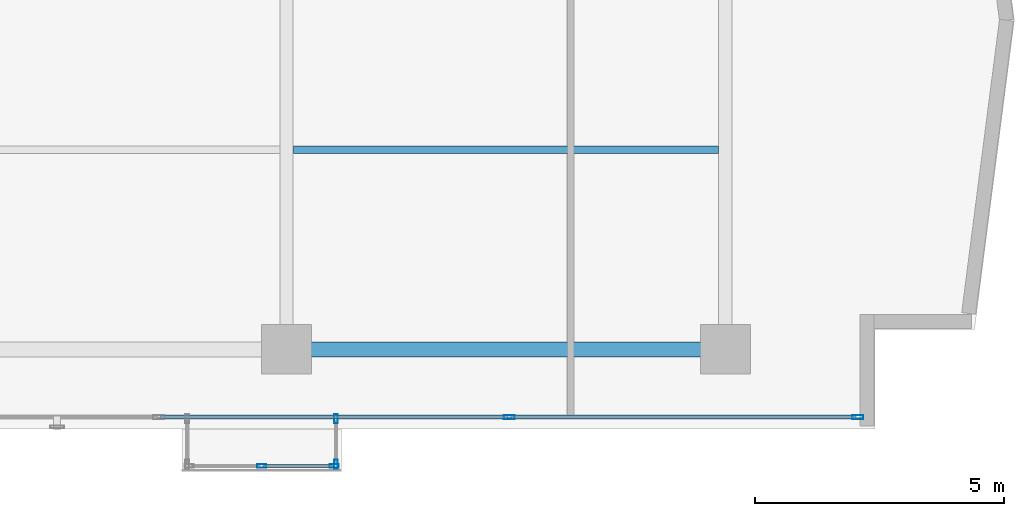
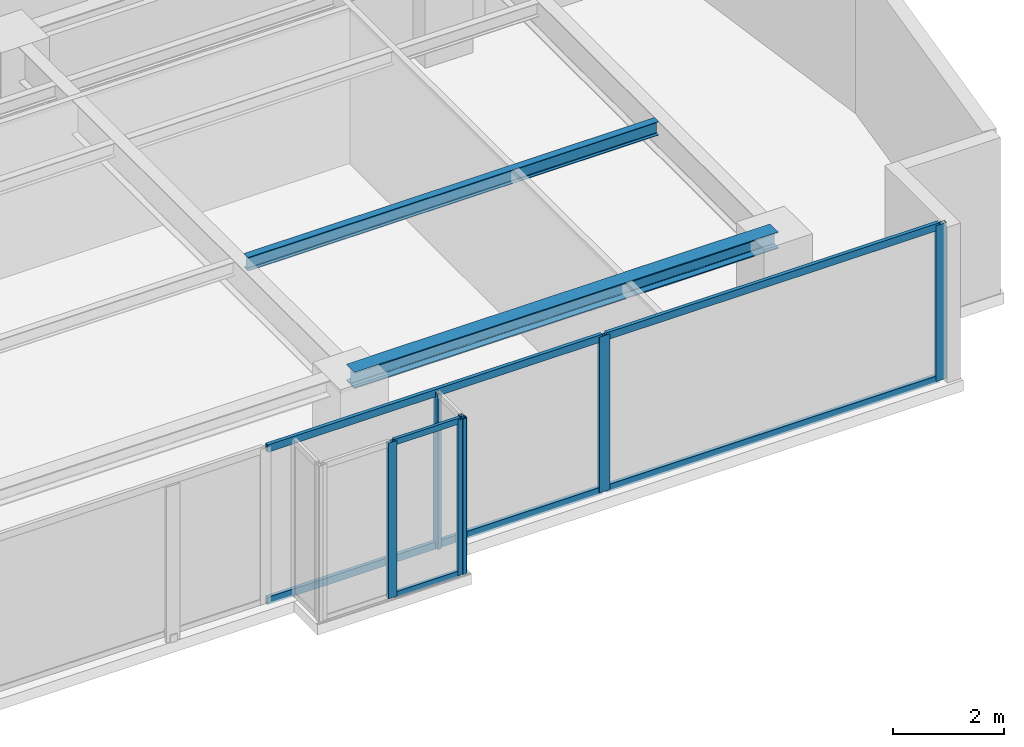
# One storey, part 11 of 24: 12 members, 2 beams, 3 elements without a shape of their own.
"""IFC4 building model written with IfcOpenShell, lengths in metres."""

from ifc_helpers import new_model, si_unit, direction, frame, origin, origin_with_axes, origin_2d, place, context, subcontext, project, spatial, hollow_rectangle, i_section, extrude, source, transform, mapped, material, layer, layer_set, material_profile, profile_set, type_object, element, aggregate, save


model = new_model("IFC4")

# Units and contexts
model_context = context("Model", 3, precision=1e-05, world=origin(), true_north=direction((0.0, 1.0)))
body_context = subcontext(model_context, "Body", "Model", "MODEL_VIEW")
ifc_project = project(units=[si_unit("LENGTHUNIT", "METRE"), si_unit("AREAUNIT", "SQUARE_METRE"), si_unit("VOLUMEUNIT", "CUBIC_METRE"), si_unit("PLANEANGLEUNIT", "RADIAN"), si_unit("MASSUNIT", "GRAM", prefix="KILO")], contexts=[model_context])

# Site, building, storey
site_placement = place(None, origin())
site = spatial("IfcSite", under=ifc_project, at=site_placement, CompositionType="ELEMENT")
building_placement = place(site_placement, origin())
building = spatial("IfcBuilding", under=site, at=building_placement, Name="Kolvaren Waterfront Exchange", CompositionType="ELEMENT")
storey_placement = place(building_placement, frame((0.0, 0.0, 253.89990234375)))
storey = spatial("IfcBuildingStorey", under=building, at=storey_placement, Name="L65", CompositionType="ELEMENT", Elevation=253.89990234375)

# Beams
ifc_material_1 = material(Name="Steel S355", Category="steel")
ifc_material_profile_1 = material_profile(ifc_material_1, i_section(OverallWidth=0.300048828125, OverallDepth=0.360107421875, WebThickness=0.012451171875, FlangeThickness=0.0224609375, FilletRadius=0.027099609375, at=origin_2d()), Name="HEB360")
ifc_profile_set_1 = profile_set([ifc_material_profile_1], Name="Steel S355")
beam_type_1 = type_object("IfcBeamType", Name="STR-BM-HEB360", PredefinedType="SPANDREL", material=ifc_profile_set_1)
beam_1_placement = place(storey_placement, frame((36.800048828125, 5.199951171875, 3.239990234375), z_axis=(1.0, 0.0, 0.0), x_axis=(0.0, 1.0, 0.0)))
element("IfcBeam", 1, at=beam_1_placement, inside=storey, type_object=beam_type_1, Name="L65 east-arm spandrel S3", PredefinedType="SPANDREL", context=body_context, shape_type="SweptSolid", body=[
    extrude(i_section(OverallWidth=0.300048828125, OverallDepth=0.360107421875, WebThickness=0.012451171875, FlangeThickness=0.0224609375, FilletRadius=0.027099609375, at=origin_2d()), origin(), (0.0, 0.0, 1.0), 8.800048828125),
])
ifc_material_profile_2 = material_profile(ifc_material_1, i_section(OverallWidth=0.14990234375, OverallDepth=0.300048828125, WebThickness=0.007080078125, FlangeThickness=0.0107421875, FilletRadius=0.014892578125, at=origin_2d()), Name="IPE300")
ifc_profile_set_2 = profile_set([ifc_material_profile_2], Name="Steel S355")
beam_type_2 = type_object("IfcBeamType", Name="STR-BM-IPE300", PredefinedType="JOIST", material=ifc_profile_set_2)
beam_2_placement = place(storey_placement, frame((36.935546875, 9.199951171875, 3.27001953125), z_axis=(1.0, 0.0, 0.0), x_axis=(0.0, 1.0, 0.0)))
element("IfcBeam", 2, at=beam_2_placement, inside=storey, type_object=beam_type_2, Name="L65 east-arm composite joist 3B", PredefinedType="JOIST", context=body_context, shape_type="SweptSolid", body=[
    extrude(i_section(OverallWidth=0.14990234375, OverallDepth=0.300048828125, WebThickness=0.007080078125, FlangeThickness=0.0107421875, FilletRadius=0.014892578125, at=origin_2d()), origin(), (0.0, 0.0, 1.0), 8.529052734375),
])

# Curtain wall, members
ifc_material_2 = material(Name="Anodised bronze aluminium 6063-T6", Category="aluminium")
ifc_layer_1 = layer(ifc_material_2, 0.219970703125, Name="Anodised bronze aluminium 6063-T6")
ifc_layer_set_1 = layer_set([ifc_layer_1], Name="Anodised bronze aluminium 6063-T6")
curtain_wall_type_1 = type_object("IfcCurtainWallType", Name="ARC-CW-SYS3", PredefinedType="USERDEFINED", material=ifc_layer_set_1)
curtain_wall_1_placement = place(storey_placement, origin())
curtain_wall_1 = element("IfcCurtainWall", 3, at=curtain_wall_1_placement, inside=storey, type_object=curtain_wall_type_1, Name="L65 stick curtain wall CW3 (CW-L65-BOX)", ObjectType="STICK CURTAIN WALL", PredefinedType="USERDEFINED")
ifc_material_profile_3 = material_profile(ifc_material_2, hollow_rectangle(XDim=0.06494140625, YDim=0.1298828125, WallThickness=0.00390625, at=origin_2d()), Name="ALU-TRN-130x65x4")
ifc_profile_set_3 = profile_set([ifc_material_profile_3], Name="Anodised bronze aluminium 6063-T6")
member_type_1 = type_object("IfcMemberType", Name="ARC-CWT-130", PredefinedType="USERDEFINED", material=ifc_profile_set_3)
shared_shape_1 = source(origin_with_axes(), body_context, "Body", "SweptSolid", [
    extrude(hollow_rectangle(XDim=0.06494140625, YDim=0.1298828125, WallThickness=0.00390625, at=origin_2d()), origin(), (0.0, 0.0, 1.0), 1.377685546875),
])
member_1_placement = place(storey_placement, frame((36.33740234375, 2.860107421875, 0.03271484375), z_axis=(1.0, 0.0, 0.0), x_axis=(0.0, 1.0, 0.0)))
member_1 = element("IfcMember", 4, at=member_1_placement, type_object=member_type_1, Name="CW3 transom 2.1", ObjectType="TRANSOM", PredefinedType="USERDEFINED", context=body_context, shape_type="MappedRepresentation", body=[
    mapped(shared_shape_1, transform((0.0, 0.0, 0.0), x_axis=(1.0, 0.0, 0.0), y_axis=(0.0, 1.0, 0.0), z_axis=(0.0, 0.0, 1.0), scale=1.0)),
])
member_2_placement = place(storey_placement, frame((36.33740234375, 2.860107421875, 3.3876953125), z_axis=(1.0, 0.0, 0.0), x_axis=(0.0, 1.0, 0.0)))
member_2 = element("IfcMember", 5, at=member_2_placement, type_object=member_type_1, Name="CW3 transom 2.2", ObjectType="TRANSOM", PredefinedType="USERDEFINED", context=body_context, shape_type="MappedRepresentation", body=[
    mapped(shared_shape_1, transform((0.0, 0.0, 0.0), x_axis=(1.0, 0.0, 0.0), y_axis=(0.0, 1.0, 0.0), z_axis=(0.0, 0.0, 1.0), scale=1.0)),
])

ifc_layer_2 = layer(ifc_material_2, 0.219970703125, Name="Anodised bronze aluminium 6063-T6")
ifc_layer_set_2 = layer_set([ifc_layer_2], Name="Anodised bronze aluminium 6063-T6")
curtain_wall_type_2 = type_object("IfcCurtainWallType", Name="ARC-CW-SYS1", PredefinedType="USERDEFINED", material=ifc_layer_set_2)
curtain_wall_2_placement = place(storey_placement, origin())
curtain_wall_2 = element("IfcCurtainWall", 6, at=curtain_wall_2_placement, inside=storey, type_object=curtain_wall_type_2, Name="L65 stick curtain wall CW1 (CW-L65-S)", ObjectType="STICK CURTAIN WALL", PredefinedType="USERDEFINED")
ifc_material_3 = material(Name="Anodised aluminium 6063-T6", Category="aluminium")
ifc_material_profile_4 = material_profile(ifc_material_3, hollow_rectangle(XDim=0.074951171875, YDim=0.159912109375, WallThickness=0.00439453125, at=origin_2d()), Name="ALU-TRN-160x75x4.5")
ifc_profile_set_4 = profile_set([ifc_material_profile_4], Name="Anodised aluminium 6063-T6")
member_type_2 = type_object("IfcMemberType", Name="ARC-CWT-160", PredefinedType="USERDEFINED", material=ifc_profile_set_4)
shared_shape_2 = source(origin_with_axes(), body_context, "Body", "SweptSolid", [
    extrude(hollow_rectangle(XDim=0.074951171875, YDim=0.159912109375, WallThickness=0.00439453125, at=origin_2d()), origin(), (0.0, 0.0, 1.0), 6.913330078125),
])
member_3_placement = place(storey_placement, frame((41.306640625, 3.840087890625, 0.03759765625), z_axis=(1.0, 0.0, 0.0), x_axis=(0.0, 1.0, 0.0)))
member_3 = element("IfcMember", 7, at=member_3_placement, type_object=member_type_2, Name="CW1 transom 6.1", ObjectType="TRANSOM", PredefinedType="USERDEFINED", context=body_context, shape_type="MappedRepresentation", body=[
    mapped(shared_shape_2, transform((0.0, 0.0, 0.0), x_axis=(1.0, 0.0, 0.0), y_axis=(0.0, 1.0, 0.0), z_axis=(0.0, 0.0, 1.0), scale=1.0)),
])
member_4_placement = place(storey_placement, frame((41.306640625, 3.840087890625, 3.382568359375), z_axis=(1.0, 0.0, 0.0), x_axis=(0.0, 1.0, 0.0)))
member_4 = element("IfcMember", 8, at=member_4_placement, type_object=member_type_2, Name="CW1 transom 6.2", ObjectType="TRANSOM", PredefinedType="USERDEFINED", context=body_context, shape_type="MappedRepresentation", body=[
    mapped(shared_shape_2, transform((0.0, 0.0, 0.0), x_axis=(1.0, 0.0, 0.0), y_axis=(0.0, 1.0, 0.0), z_axis=(0.0, 0.0, 1.0), scale=1.0)),
])
shared_shape_3 = source(origin_with_axes(), body_context, "Body", "SweptSolid", [
    extrude(hollow_rectangle(XDim=0.074951171875, YDim=0.159912109375, WallThickness=0.00439453125, at=origin_2d()), origin(), (0.0, 0.0, 1.0), 6.953125),
])
member_5_placement = place(storey_placement, frame((34.2734375, 3.840087890625, 0.03759765625), z_axis=(1.0, 0.0, 0.0), x_axis=(0.0, 1.0, 0.0)))
member_5 = element("IfcMember", 9, at=member_5_placement, type_object=member_type_2, Name="CW1 transom 5.1", ObjectType="TRANSOM", PredefinedType="USERDEFINED", context=body_context, shape_type="MappedRepresentation", body=[
    mapped(shared_shape_3, transform((0.0, 0.0, 0.0), x_axis=(1.0, 0.0, 0.0), y_axis=(0.0, 1.0, 0.0), z_axis=(0.0, 0.0, 1.0), scale=1.0)),
])
member_6_placement = place(storey_placement, frame((34.2734375, 3.840087890625, 3.382568359375), z_axis=(1.0, 0.0, 0.0), x_axis=(0.0, 1.0, 0.0)))
member_6 = element("IfcMember", 10, at=member_6_placement, type_object=member_type_2, Name="CW1 transom 5.2", ObjectType="TRANSOM", PredefinedType="USERDEFINED", context=body_context, shape_type="MappedRepresentation", body=[
    mapped(shared_shape_3, transform((0.0, 0.0, 0.0), x_axis=(1.0, 0.0, 0.0), y_axis=(0.0, 1.0, 0.0), z_axis=(0.0, 0.0, 1.0), scale=1.0)),
])

# Member
ifc_material_profile_5 = material_profile(ifc_material_2, hollow_rectangle(XDim=0.074951171875, YDim=0.179931640625, WallThickness=0.00439453125, at=origin_2d()), Name="ALU-MUL-180x75x4.5")
ifc_profile_set_5 = profile_set([ifc_material_profile_5], Name="Anodised bronze aluminium 6063-T6")
member_type_3 = type_object("IfcMemberType", Name="ARC-CWM-180", PredefinedType="MULLION", material=ifc_profile_set_5)
shared_shape_4 = source(origin_with_axes(), body_context, "Body", "SweptSolid", [
    extrude(hollow_rectangle(XDim=0.074951171875, YDim=0.179931640625, WallThickness=0.00439453125, at=origin_2d()), origin(), (0.0, 0.0, 1.0), 3.420166015625),
])
member_7_placement = place(storey_placement, frame((36.300048828125, 2.860107421875, 0.0), z_axis=(0.0, 0.0, 1.0), x_axis=(0.0, 1.0, 0.0)))
member_7 = element("IfcMember", 11, at=member_7_placement, type_object=member_type_3, Name="CW3 mullion 2", PredefinedType="MULLION", context=body_context, shape_type="MappedRepresentation", body=[
    mapped(shared_shape_4, transform((0.0, 0.0, 0.0), x_axis=(1.0, 0.0, 0.0), y_axis=(0.0, 1.0, 0.0), z_axis=(0.0, 0.0, 1.0), scale=1.0)),
])

member_8_placement = place(storey_placement, frame((37.75244140625, 2.860107421875, 0.0), z_axis=(0.0, 0.0, 1.0), x_axis=(0.0, 1.0, 0.0)))
member_8 = element("IfcMember", 12, at=member_8_placement, type_object=member_type_3, Name="CW3 mullion 3", PredefinedType="MULLION", context=body_context, shape_type="MappedRepresentation", body=[
    mapped(shared_shape_4, transform((0.0, 0.0, 0.0), x_axis=(1.0, 0.0, 0.0), y_axis=(0.0, 1.0, 0.0), z_axis=(0.0, 0.0, 1.0), scale=1.0)),
])

aggregate(curtain_wall_1, [member_7, member_8, member_1, member_2])

# Curtain wall, members
curtain_wall_3_placement = place(storey_placement, origin())
curtain_wall_3 = element("IfcCurtainWall", 13, at=curtain_wall_3_placement, inside=storey, type_object=curtain_wall_type_1, Name="L65 stick curtain wall CW3 (CW-L65-BOX-E)", ObjectType="STICK CURTAIN WALL", PredefinedType="USERDEFINED")
member_9_placement = place(storey_placement, frame((37.7900390625, 2.8974609375, 0.0), z_axis=(0.0, 0.0, 1.0), x_axis=(-1.0, 0.0, 0.0)))
member_9 = element("IfcMember", 14, at=member_9_placement, type_object=member_type_3, Name="CW3 mullion 1", PredefinedType="MULLION", context=body_context, shape_type="MappedRepresentation", body=[
    mapped(shared_shape_4, transform((0.0, 0.0, 0.0), x_axis=(1.0, 0.0, 0.0), y_axis=(0.0, 1.0, 0.0), z_axis=(0.0, 0.0, 1.0), scale=1.0)),
])
member_10_placement = place(storey_placement, frame((37.7900390625, 3.802490234375, 0.0), z_axis=(0.0, 0.0, 1.0), x_axis=(-1.0, 0.0, 0.0)))
member_10 = element("IfcMember", 15, at=member_10_placement, type_object=member_type_3, Name="CW3 mullion 2", PredefinedType="MULLION", context=body_context, shape_type="MappedRepresentation", body=[
    mapped(shared_shape_4, transform((0.0, 0.0, 0.0), x_axis=(1.0, 0.0, 0.0), y_axis=(0.0, 1.0, 0.0), z_axis=(0.0, 0.0, 1.0), scale=1.0)),
])
aggregate(curtain_wall_3, [member_9, member_10])

# Member
ifc_material_profile_6 = material_profile(ifc_material_3, hollow_rectangle(XDim=0.080078125, YDim=0.219970703125, WallThickness=0.0048828125, at=origin_2d()), Name="ALU-MUL-220x80x5")
ifc_profile_set_6 = profile_set([ifc_material_profile_6], Name="Anodised aluminium 6063-T6")
member_type_4 = type_object("IfcMemberType", Name="ARC-CWM-220", PredefinedType="MULLION", material=ifc_profile_set_6)
shared_shape_5 = source(origin_with_axes(), body_context, "Body", "SweptSolid", [
    extrude(hollow_rectangle(XDim=0.080078125, YDim=0.219970703125, WallThickness=0.0048828125, at=origin_2d()), origin(), (0.0, 0.0, 1.0), 3.420166015625),
])
member_11_placement = place(storey_placement, frame((41.2666015625, 3.840087890625, 0.0), z_axis=(0.0, 0.0, 1.0), x_axis=(0.0, 1.0, 0.0)))
member_11 = element("IfcMember", 16, at=member_11_placement, type_object=member_type_4, Name="CW1 mullion 6", PredefinedType="MULLION", context=body_context, shape_type="MappedRepresentation", body=[
    mapped(shared_shape_5, transform((0.0, 0.0, 0.0), x_axis=(1.0, 0.0, 0.0), y_axis=(0.0, 1.0, 0.0), z_axis=(0.0, 0.0, 1.0), scale=1.0)),
])

member_12_placement = place(storey_placement, frame((48.260009765625, 3.840087890625, 0.0), z_axis=(0.0, 0.0, 1.0), x_axis=(0.0, 1.0, 0.0)))
member_12 = element("IfcMember", 17, at=member_12_placement, type_object=member_type_4, Name="CW1 mullion 7", PredefinedType="MULLION", context=body_context, shape_type="MappedRepresentation", body=[
    mapped(shared_shape_5, transform((0.0, 0.0, 0.0), x_axis=(1.0, 0.0, 0.0), y_axis=(0.0, 1.0, 0.0), z_axis=(0.0, 0.0, 1.0), scale=1.0)),
])

aggregate(curtain_wall_2, [member_11, member_12, member_5, member_6, member_3, member_4])

save(model, "model.ifc")
